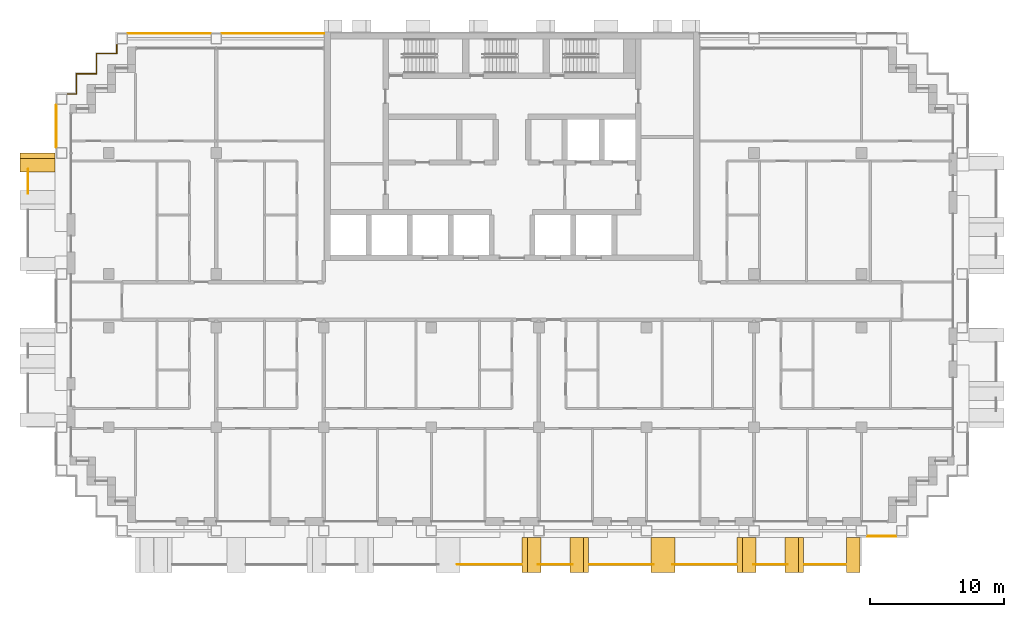
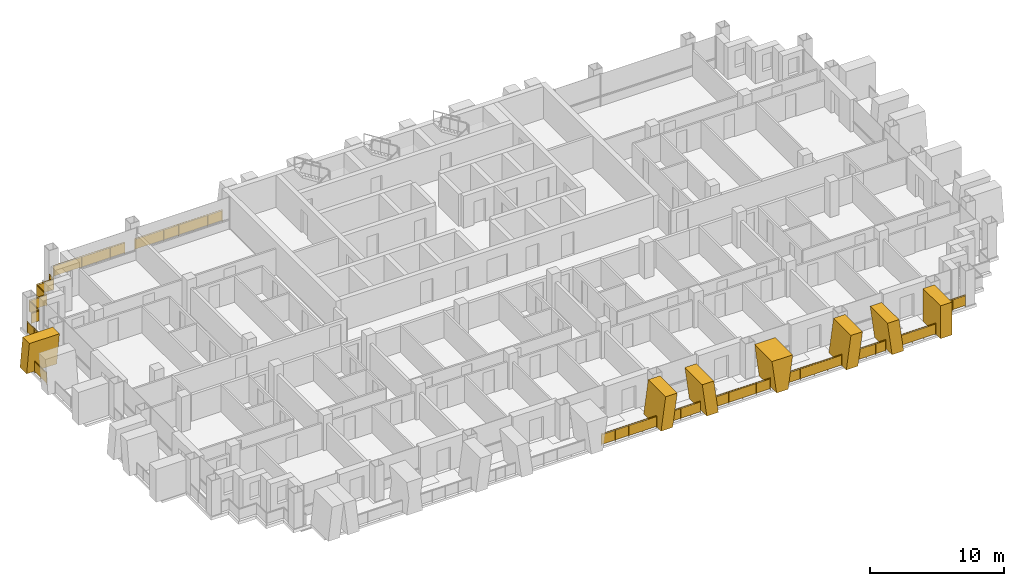
# One storey, part 15 of 17: 12 railings, 7 shading devices.
"""IFC4 building model written with IfcOpenShell, lengths in metres."""

from ifc_helpers import new_model, si_unit, direction, frame, origin, origin_2d, place, context, subcontext, project, spatial, polyline, rectangle, circle, outline, extrude, material, layer, layer_set, type_object, element, save


model = new_model("IFC4")

# Units and contexts
model_context = context("Model", 3, precision=1e-05, world=origin(), true_north=direction((0.0, 1.0)))
body_context = subcontext(model_context, "Body", "Model", "MODEL_VIEW")
ifc_project = project(units=[si_unit("LENGTHUNIT", "METRE"), si_unit("AREAUNIT", "SQUARE_METRE"), si_unit("VOLUMEUNIT", "CUBIC_METRE"), si_unit("PLANEANGLEUNIT", "RADIAN"), si_unit("MASSUNIT", "GRAM", prefix="KILO")], contexts=[model_context])

# Site, building, storey
site_placement = place(None, origin())
site = spatial("IfcSite", under=ifc_project, at=site_placement, CompositionType="ELEMENT")
building_placement = place(site_placement, origin())
building = spatial("IfcBuilding", under=site, at=building_placement, Name="Vidyagriha Tower", CompositionType="ELEMENT")
storey_placement = place(building_placement, frame((0.0, 0.0, 119.800048828125)))
storey = spatial("IfcBuildingStorey", under=building, at=storey_placement, Name="L30", CompositionType="ELEMENT", Elevation=119.800048828125)

# Railings
ifc_material_1 = material(Name="Steel ASTM A500 Grade C black painted", Category="steel")
railing_type_1 = type_object("IfcRailingType", Name="Balcony guard 1100", PredefinedType="BALUSTRADE", material=ifc_material_1)
railing_1_placement = place(storey_placement, frame((-36.0, 9.796630859375, 0.0)))
element("IfcRailing", 1, at=railing_1_placement, inside=storey, type_object=railing_type_1, Name="Balcony guard L30 R16.1-1", PredefinedType="BALUSTRADE", context=body_context, shape_type="SweptSolid", body=[
    extrude(circle(Radius=0.02490234375, at=origin_2d()), frame((0.0, 0.0, 1.0751953125), z_axis=(0.0, -1.0, 0.0), x_axis=(1.0, 0.0, 0.0)), (0.0, 0.0, 1.0), 1.793212890625),
    extrude(circle(Radius=0.02001953125, at=origin_2d()), origin(), (0.0, 0.0, 1.0), 1.050048828125),
    extrude(circle(Radius=0.02001953125, at=origin_2d()), frame((0.0, -0.896484375, 0.0)), (0.0, 0.0, 1.0), 1.050048828125),
    extrude(circle(Radius=0.02001953125, at=origin_2d()), frame((0.0, -1.793212890625, 0.0)), (0.0, 0.0, 1.0), 1.050048828125),
    extrude(rectangle(XDim=0.010009765625, YDim=0.900146484375, at=origin_2d()), frame((0.0, 0.0, 0.550048828125), z_axis=(0.0, -1.0, 0.0), x_axis=(1.0, 0.0, 0.0)), (0.0, 0.0, 1.0), 1.793212890625),
])
railing_2_placement = place(storey_placement, frame((-4.073486328125, -19.60009765625, 0.0)))
element("IfcRailing", 2, at=railing_2_placement, inside=storey, type_object=railing_type_1, Name="Balcony guard L30 R23.1-5", PredefinedType="BALUSTRADE", context=body_context, shape_type="SweptSolid", body=[
    extrude(circle(Radius=0.02490234375, at=origin_2d()), frame((0.0, 0.0, 1.0751953125), z_axis=(1.0, 0.0, 0.0), x_axis=(0.0, 1.0, 0.0)), (0.0, 0.0, 1.0), 4.7734375),
    extrude(circle(Radius=0.02001953125, at=origin_2d()), origin(), (0.0, 0.0, 1.0), 1.050048828125),
    extrude(circle(Radius=0.02001953125, at=origin_2d()), frame((1.193359375, 0.0, 0.0)), (0.0, 0.0, 1.0), 1.050048828125),
    extrude(circle(Radius=0.02001953125, at=origin_2d()), frame((2.38671875, 0.0, 0.0)), (0.0, 0.0, 1.0), 1.050048828125),
    extrude(circle(Radius=0.02001953125, at=origin_2d()), frame((3.580078125, 0.0, 0.0)), (0.0, 0.0, 1.0), 1.050048828125),
    extrude(circle(Radius=0.02001953125, at=origin_2d()), frame((4.7734375, 0.0, 0.0)), (0.0, 0.0, 1.0), 1.050048828125),
    extrude(rectangle(XDim=0.010009765625, YDim=0.900146484375, at=origin_2d()), frame((0.0, 0.0, 0.550048828125), z_axis=(1.0, 0.0, 0.0), x_axis=(0.0, 1.0, 0.0)), (0.0, 0.0, 1.0), 4.7734375),
])
railing_3_placement = place(storey_placement, frame((1.951416015625, -19.60009765625, 0.0)))
element("IfcRailing", 3, at=railing_3_placement, inside=storey, type_object=railing_type_1, Name="Balcony guard L30 R23.1-6", PredefinedType="BALUSTRADE", context=body_context, shape_type="SweptSolid", body=[
    extrude(circle(Radius=0.02490234375, at=origin_2d()), frame((0.0, 0.0, 1.0751953125), z_axis=(1.0, 0.0, 0.0), x_axis=(0.0, 1.0, 0.0)), (0.0, 0.0, 1.0), 2.547119140625),
    extrude(circle(Radius=0.02001953125, at=origin_2d()), origin(), (0.0, 0.0, 1.0), 1.050048828125),
    extrude(circle(Radius=0.02001953125, at=origin_2d()), frame((0.84912109375, 0.0, 0.0)), (0.0, 0.0, 1.0), 1.050048828125),
    extrude(circle(Radius=0.02001953125, at=origin_2d()), frame((1.697998046875, 0.0, 0.0)), (0.0, 0.0, 1.0), 1.050048828125),
    extrude(circle(Radius=0.02001953125, at=origin_2d()), frame((2.547119140625, 0.0, 0.0)), (0.0, 0.0, 1.0), 1.050048828125),
    extrude(rectangle(XDim=0.010009765625, YDim=0.900146484375, at=origin_2d()), frame((0.0, 0.0, 0.550048828125), z_axis=(1.0, 0.0, 0.0), x_axis=(0.0, 1.0, 0.0)), (0.0, 0.0, 1.0), 2.547119140625),
])
railing_4_placement = place(storey_placement, frame((5.75, -19.60009765625, 0.0)))
element("IfcRailing", 4, at=railing_4_placement, inside=storey, type_object=railing_type_1, Name="Balcony guard L30 R23.1-7", PredefinedType="BALUSTRADE", context=body_context, shape_type="SweptSolid", body=[
    extrude(circle(Radius=0.02490234375, at=origin_2d()), frame((0.0, 0.0, 1.0751953125), z_axis=(1.0, 0.0, 0.0), x_axis=(0.0, 1.0, 0.0)), (0.0, 0.0, 1.0), 4.773681640625),
    extrude(circle(Radius=0.02001953125, at=origin_2d()), origin(), (0.0, 0.0, 1.0), 1.050048828125),
    extrude(circle(Radius=0.02001953125, at=origin_2d()), frame((1.193359375, 0.0, 0.0)), (0.0, 0.0, 1.0), 1.050048828125),
    extrude(circle(Radius=0.02001953125, at=origin_2d()), frame((2.38671875, 0.0, 0.0)), (0.0, 0.0, 1.0), 1.050048828125),
    extrude(circle(Radius=0.02001953125, at=origin_2d()), frame((3.580322265625, 0.0, 0.0)), (0.0, 0.0, 1.0), 1.050048828125),
    extrude(circle(Radius=0.02001953125, at=origin_2d()), frame((4.773681640625, 0.0, 0.0)), (0.0, 0.0, 1.0), 1.050048828125),
    extrude(rectangle(XDim=0.010009765625, YDim=0.900146484375, at=origin_2d()), frame((0.0, 0.0, 0.550048828125), z_axis=(1.0, 0.0, 0.0), x_axis=(0.0, 1.0, 0.0)), (0.0, 0.0, 1.0), 4.773681640625),
])
railing_5_placement = place(storey_placement, frame((11.926513671875, -19.60009765625, 0.0)))
element("IfcRailing", 5, at=railing_5_placement, inside=storey, type_object=railing_type_1, Name="Balcony guard L30 R23.1-8", PredefinedType="BALUSTRADE", context=body_context, shape_type="SweptSolid", body=[
    extrude(circle(Radius=0.02490234375, at=origin_2d()), frame((0.0, 0.0, 1.0751953125), z_axis=(1.0, 0.0, 0.0), x_axis=(0.0, 1.0, 0.0)), (0.0, 0.0, 1.0), 4.7734375),
    extrude(circle(Radius=0.02001953125, at=origin_2d()), origin(), (0.0, 0.0, 1.0), 1.050048828125),
    extrude(circle(Radius=0.02001953125, at=origin_2d()), frame((1.193359375, 0.0, 0.0)), (0.0, 0.0, 1.0), 1.050048828125),
    extrude(circle(Radius=0.02001953125, at=origin_2d()), frame((2.38671875, 0.0, 0.0)), (0.0, 0.0, 1.0), 1.050048828125),
    extrude(circle(Radius=0.02001953125, at=origin_2d()), frame((3.580078125, 0.0, 0.0)), (0.0, 0.0, 1.0), 1.050048828125),
    extrude(circle(Radius=0.02001953125, at=origin_2d()), frame((4.7734375, 0.0, 0.0)), (0.0, 0.0, 1.0), 1.050048828125),
    extrude(rectangle(XDim=0.010009765625, YDim=0.900146484375, at=origin_2d()), frame((0.0, 0.0, 0.550048828125), z_axis=(1.0, 0.0, 0.0), x_axis=(0.0, 1.0, 0.0)), (0.0, 0.0, 1.0), 4.7734375),
])
railing_6_placement = place(storey_placement, frame((17.951416015625, -19.60009765625, 0.0)))
element("IfcRailing", 6, at=railing_6_placement, inside=storey, type_object=railing_type_1, Name="Balcony guard L30 R23.1-9", PredefinedType="BALUSTRADE", context=body_context, shape_type="SweptSolid", body=[
    extrude(circle(Radius=0.02490234375, at=origin_2d()), frame((0.0, 0.0, 1.0751953125), z_axis=(1.0, 0.0, 0.0), x_axis=(0.0, 1.0, 0.0)), (0.0, 0.0, 1.0), 2.547119140625),
    extrude(circle(Radius=0.02001953125, at=origin_2d()), origin(), (0.0, 0.0, 1.0), 1.050048828125),
    extrude(circle(Radius=0.02001953125, at=origin_2d()), frame((0.84912109375, 0.0, 0.0)), (0.0, 0.0, 1.0), 1.050048828125),
    extrude(circle(Radius=0.02001953125, at=origin_2d()), frame((1.697998046875, 0.0, 0.0)), (0.0, 0.0, 1.0), 1.050048828125),
    extrude(circle(Radius=0.02001953125, at=origin_2d()), frame((2.547119140625, 0.0, 0.0)), (0.0, 0.0, 1.0), 1.050048828125),
    extrude(rectangle(XDim=0.010009765625, YDim=0.900146484375, at=origin_2d()), frame((0.0, 0.0, 0.550048828125), z_axis=(1.0, 0.0, 0.0), x_axis=(0.0, 1.0, 0.0)), (0.0, 0.0, 1.0), 2.547119140625),
])
railing_7_placement = place(storey_placement, frame((21.75, -19.60009765625, 0.0)))
element("IfcRailing", 7, at=railing_7_placement, inside=storey, type_object=railing_type_1, Name="Balcony guard L30 R23.1-10", PredefinedType="BALUSTRADE", context=body_context, shape_type="SweptSolid", body=[
    extrude(circle(Radius=0.02490234375, at=origin_2d()), frame((0.0, 0.0, 1.0751953125), z_axis=(1.0, 0.0, 0.0), x_axis=(0.0, 1.0, 0.0)), (0.0, 0.0, 1.0), 3.074951171875),
    extrude(circle(Radius=0.02001953125, at=origin_2d()), origin(), (0.0, 0.0, 1.0), 1.050048828125),
    extrude(circle(Radius=0.02001953125, at=origin_2d()), frame((1.02490234375, 0.0, 0.0)), (0.0, 0.0, 1.0), 1.050048828125),
    extrude(circle(Radius=0.02001953125, at=origin_2d()), frame((2.050048828125, 0.0, 0.0)), (0.0, 0.0, 1.0), 1.050048828125),
    extrude(circle(Radius=0.02001953125, at=origin_2d()), frame((3.074951171875, 0.0, 0.0)), (0.0, 0.0, 1.0), 1.050048828125),
    extrude(rectangle(XDim=0.010009765625, YDim=0.900146484375, at=origin_2d()), frame((0.0, 0.0, 0.550048828125), z_axis=(1.0, 0.0, 0.0), x_axis=(0.0, 1.0, 0.0)), (0.0, 0.0, 1.0), 3.074951171875),
])

# Shading devices
ifc_material_2 = material(Name="Precast concrete C40/50 with buff brick facing", Category="concrete")
ifc_layer_1 = layer(ifc_material_2, 1.0)
ifc_layer_set_1 = layer_set([ifc_layer_1], Name="Precast concrete C40/50 with buff brick facing")
shading_device_type_1 = type_object("IfcShadingDeviceType", Name="Brick-faced blade fin arm leaning 8 degrees", PredefinedType="USERDEFINED", material=ifc_layer_set_1)
shading_device_1_placement = place(storey_placement, frame((-35.300048828125, 11.0, 0.0), z_axis=(0.0, 0.0, 1.0), x_axis=(0.0, -1.0, 0.0)))
element("IfcShadingDevice", 8, at=shading_device_1_placement, inside=storey, type_object=shading_device_type_1, Name="Leaning blade fin L30 R16.300a", ObjectType="BLADE FIN", PredefinedType="USERDEFINED", context=body_context, shape_type="SweptSolid", body=[
    extrude(outline(polyline([(0.0, 0.0), (1.0, 0.0), (1.39990234375, 3.0), (0.39990234375, 3.0), (0.0, 0.0)])), frame((0.0, 1.300048828125, 0.0), z_axis=(0.0, -1.0, 0.0), x_axis=(1.0, 0.0, 0.0)), (0.0, 0.0, 1.0), 2.60009765625),
])
shading_device_2_placement = place(storey_placement, frame((0.75, -18.89990234375, 0.0)))
element("IfcShadingDevice", 9, at=shading_device_2_placement, inside=storey, type_object=shading_device_type_1, Name="Leaning blade fin L30 R23.3000a", ObjectType="BLADE FIN", PredefinedType="USERDEFINED", context=body_context, shape_type="SweptSolid", body=[
    extrude(outline(polyline([(0.0, 0.0), (1.0, 0.0), (1.39501953125, 3.0), (0.39501953125, 3.0), (0.0, 0.0)])), frame((0.0, 1.300048828125, 0.0), z_axis=(0.0, -1.0, 0.0), x_axis=(1.0, 0.0, 0.0)), (0.0, 0.0, 1.0), 2.60009765625),
])
shading_device_3_placement = place(storey_placement, frame((4.304931640625, -18.89990234375, 0.0)))
element("IfcShadingDevice", 10, at=shading_device_3_placement, inside=storey, type_object=shading_device_type_1, Name="Leaning blade fin L30 R23.3000b", ObjectType="BLADE FIN", PredefinedType="USERDEFINED", context=body_context, shape_type="SweptSolid", body=[
    extrude(outline(polyline([(0.39501953125, 0.0), (1.39501953125, 0.0), (1.0, 3.0), (0.0, 3.0), (0.39501953125, 0.0)])), frame((0.0, 1.300048828125, 0.0), z_axis=(0.0, -1.0, 0.0), x_axis=(1.0, 0.0, 0.0)), (0.0, 0.0, 1.0), 2.60009765625),
])
shading_device_4_placement = place(storey_placement, frame((16.75, -18.89990234375, 0.0)))
element("IfcShadingDevice", 11, at=shading_device_4_placement, inside=storey, type_object=shading_device_type_1, Name="Leaning blade fin L30 R23.4600a", ObjectType="BLADE FIN", PredefinedType="USERDEFINED", context=body_context, shape_type="SweptSolid", body=[
    extrude(outline(polyline([(0.0, 0.0), (1.0, 0.0), (1.39501953125, 3.0), (0.39501953125, 3.0), (0.0, 0.0)])), frame((0.0, 1.300048828125, 0.0), z_axis=(0.0, -1.0, 0.0), x_axis=(1.0, 0.0, 0.0)), (0.0, 0.0, 1.0), 2.60009765625),
])
shading_device_5_placement = place(storey_placement, frame((20.304931640625, -18.89990234375, 0.0)))
element("IfcShadingDevice", 12, at=shading_device_5_placement, inside=storey, type_object=shading_device_type_1, Name="Leaning blade fin L30 R23.4600b", ObjectType="BLADE FIN", PredefinedType="USERDEFINED", context=body_context, shape_type="SweptSolid", body=[
    extrude(outline(polyline([(0.39501953125, 0.0), (1.39501953125, 0.0), (1.0, 3.0), (0.0, 3.0), (0.39501953125, 0.0)])), frame((0.0, 1.300048828125, 0.0), z_axis=(0.0, -1.0, 0.0), x_axis=(1.0, 0.0, 0.0)), (0.0, 0.0, 1.0), 2.60009765625),
])
ifc_material_3 = material(Name="Precast concrete C40/50 with buff brick facing", Category="concrete")
ifc_layer_2 = layer(ifc_material_3, 1.0)
ifc_layer_set_2 = layer_set([ifc_layer_2], Name="Precast concrete C40/50 with buff brick facing")
shading_device_type_2 = type_object("IfcShadingDeviceType", Name="Brick-faced blade fin forking 8 degrees", PredefinedType="USERDEFINED", material=ifc_layer_set_2)
shading_device_6_placement = place(storey_placement, frame((10.330078125, -18.89990234375, 0.0)))
element("IfcShadingDevice", 13, at=shading_device_6_placement, inside=storey, type_object=shading_device_type_2, Name="Forked blade fin L30 R23.3800a", ObjectType="BLADE FIN", PredefinedType="USERDEFINED", context=body_context, shape_type="SweptSolid", body=[
    extrude(outline(polyline([(0.39501953125, 0.0), (1.39501953125, 0.0), (1.7900390625, 3.0), (0.0, 3.0), (0.39501953125, 0.0)])), frame((0.0, 1.300048828125, 0.0), z_axis=(0.0, -1.0, 0.0), x_axis=(1.0, 0.0, 0.0)), (0.0, 0.0, 1.0), 2.60009765625),
])
ifc_material_4 = material(Name="Precast concrete C40/50 with buff brick facing", Category="concrete")
ifc_layer_3 = layer(ifc_material_4, 1.0)
ifc_layer_set_3 = layer_set([ifc_layer_3], Name="Precast concrete C40/50 with buff brick facing")
shading_device_type_3 = type_object("IfcShadingDeviceType", Name="Brick-faced blade fin stem 1000", PredefinedType="USERDEFINED", material=ifc_layer_set_3)
shading_device_7_placement = place(storey_placement, frame((24.875, -18.89990234375, 0.0)))
element("IfcShadingDevice", 14, at=shading_device_7_placement, inside=storey, type_object=shading_device_type_3, Name="Stem blade fin L30 R23.5400a", ObjectType="BLADE FIN", PredefinedType="USERDEFINED", context=body_context, shape_type="SweptSolid", body=[
    extrude(outline(polyline([(0.0, 0.0), (1.0, 0.0), (1.0, 3.0), (0.0, 3.0), (0.0, 0.0)])), frame((0.0, 1.300048828125, 0.0), z_axis=(0.0, -1.0, 0.0), x_axis=(1.0, 0.0, 0.0)), (0.0, 0.0, 1.0), 2.60009765625),
])

# Railings
ifc_material_5 = material(Name="Steel ASTM A500 Grade C black painted", Category="steel")
railing_type_2 = type_object("IfcRailingType", Name="Gallery guard 1100", PredefinedType="GUARDRAIL", material=ifc_material_5)
railing_8_placement = place(storey_placement, frame((-33.89990234375, 11.429931640625, 0.0)))
element("IfcRailing", 15, at=railing_8_placement, inside=storey, type_object=railing_type_2, Name="Gallery guard L30 3", PredefinedType="GUARDRAIL", context=body_context, shape_type="SweptSolid", body=[
    extrude(circle(Radius=0.02490234375, at=origin_2d()), frame((0.0, 0.0, 1.0751953125), z_axis=(0.0, 1.0, 0.0), x_axis=(-1.0, 0.0, 0.0)), (0.0, 0.0, 1.0), 3.14013671875),
    extrude(circle(Radius=0.02001953125, at=origin_2d()), origin(), (0.0, 0.0, 1.0), 1.050048828125),
    extrude(circle(Radius=0.02001953125, at=origin_2d()), frame((0.0, 1.046630859375, 0.0)), (0.0, 0.0, 1.0), 1.050048828125),
    extrude(circle(Radius=0.02001953125, at=origin_2d()), frame((0.0, 2.093505859375, 0.0)), (0.0, 0.0, 1.0), 1.050048828125),
    extrude(circle(Radius=0.02001953125, at=origin_2d()), frame((0.0, 3.14013671875, 0.0)), (0.0, 0.0, 1.0), 1.050048828125),
    extrude(rectangle(XDim=0.010009765625, YDim=0.900146484375, at=origin_2d()), frame((0.0, 0.0, 0.550048828125), z_axis=(0.0, 1.0, 0.0), x_axis=(-1.0, 0.0, 0.0)), (0.0, 0.0, 1.0), 3.14013671875),
])
railing_9_placement = place(storey_placement, frame((-33.070068359375, 15.39990234375, 0.0)))
element("IfcRailing", 16, at=railing_9_placement, inside=storey, type_object=railing_type_2, Name="Gallery guard L30 5", PredefinedType="GUARDRAIL", context=body_context, shape_type="SweptSolid", body=[
    extrude(circle(Radius=0.02490234375, at=origin_2d()), frame((0.0, 0.0, 1.0751953125), z_axis=(1.0, 0.0, 0.0), x_axis=(0.0, 1.0, 0.0)), (0.0, 0.0, 1.0), 0.670166015625),
    extrude(circle(Radius=0.02490234375, at=origin_2d()), frame((0.670166015625, 0.0, 1.0751953125), z_axis=(0.0, 1.0, 0.0), x_axis=(-1.0, 0.0, 0.0)), (0.0, 0.0, 1.0), 1.5),
    extrude(circle(Radius=0.02490234375, at=origin_2d()), frame((0.670166015625, 1.5, 1.0751953125), z_axis=(1.0, 0.0, 0.0), x_axis=(0.0, 1.0, 0.0)), (0.0, 0.0, 1.0), 1.5),
    extrude(circle(Radius=0.02490234375, at=origin_2d()), frame((2.170166015625, 1.5, 1.0751953125), z_axis=(0.0, 1.0, 0.0), x_axis=(-1.0, 0.0, 0.0)), (0.0, 0.0, 1.0), 1.5),
    extrude(circle(Radius=0.02490234375, at=origin_2d()), frame((2.170166015625, 3.0, 1.0751953125), z_axis=(1.0, 0.0, 0.0), x_axis=(0.0, 1.0, 0.0)), (0.0, 0.0, 1.0), 1.5),
    extrude(circle(Radius=0.02490234375, at=origin_2d()), frame((3.670166015625, 3.0, 1.0751953125), z_axis=(0.0, 1.0, 0.0), x_axis=(-1.0, 0.0, 0.0)), (0.0, 0.0, 1.0), 0.670166015625),
    extrude(circle(Radius=0.02001953125, at=origin_2d()), origin(), (0.0, 0.0, 1.0), 1.050048828125),
    extrude(circle(Radius=0.02001953125, at=origin_2d()), frame((0.670166015625, 0.0, 0.0)), (0.0, 0.0, 1.0), 1.050048828125),
    extrude(circle(Radius=0.02001953125, at=origin_2d()), frame((0.670166015625, 1.5, 0.0)), (0.0, 0.0, 1.0), 1.050048828125),
    extrude(circle(Radius=0.02001953125, at=origin_2d()), frame((2.170166015625, 1.5, 0.0)), (0.0, 0.0, 1.0), 1.050048828125),
    extrude(circle(Radius=0.02001953125, at=origin_2d()), frame((2.170166015625, 3.0, 0.0)), (0.0, 0.0, 1.0), 1.050048828125),
    extrude(circle(Radius=0.02001953125, at=origin_2d()), frame((3.670166015625, 3.0, 0.0)), (0.0, 0.0, 1.0), 1.050048828125),
    extrude(circle(Radius=0.02001953125, at=origin_2d()), frame((3.670166015625, 3.670166015625, 0.0)), (0.0, 0.0, 1.0), 1.050048828125),
    extrude(rectangle(XDim=0.010009765625, YDim=0.900146484375, at=origin_2d()), frame((0.0, 0.0, 0.550048828125), z_axis=(1.0, 0.0, 0.0), x_axis=(0.0, 1.0, 0.0)), (0.0, 0.0, 1.0), 0.670166015625),
    extrude(rectangle(XDim=0.010009765625, YDim=0.900146484375, at=origin_2d()), frame((0.670166015625, 0.0, 0.550048828125), z_axis=(0.0, 1.0, 0.0), x_axis=(-1.0, 0.0, 0.0)), (0.0, 0.0, 1.0), 1.5),
    extrude(rectangle(XDim=0.010009765625, YDim=0.900146484375, at=origin_2d()), frame((0.670166015625, 1.5, 0.550048828125), z_axis=(1.0, 0.0, 0.0), x_axis=(0.0, 1.0, 0.0)), (0.0, 0.0, 1.0), 1.5),
    extrude(rectangle(XDim=0.010009765625, YDim=0.900146484375, at=origin_2d()), frame((2.170166015625, 1.5, 0.550048828125), z_axis=(0.0, 1.0, 0.0), x_axis=(-1.0, 0.0, 0.0)), (0.0, 0.0, 1.0), 1.5),
    extrude(rectangle(XDim=0.010009765625, YDim=0.900146484375, at=origin_2d()), frame((2.170166015625, 3.0, 0.550048828125), z_axis=(1.0, 0.0, 0.0), x_axis=(0.0, 1.0, 0.0)), (0.0, 0.0, 1.0), 1.5),
    extrude(rectangle(XDim=0.010009765625, YDim=0.900146484375, at=origin_2d()), frame((3.670166015625, 3.0, 0.550048828125), z_axis=(0.0, 1.0, 0.0), x_axis=(-1.0, 0.0, 0.0)), (0.0, 0.0, 1.0), 0.670166015625),
])
railing_10_placement = place(storey_placement, frame((-28.570068359375, 19.89990234375, 0.0)))
element("IfcRailing", 17, at=railing_10_placement, inside=storey, type_object=railing_type_2, Name="Gallery guard L30 7", PredefinedType="GUARDRAIL", context=body_context, shape_type="SweptSolid", body=[
    extrude(circle(Radius=0.02490234375, at=origin_2d()), frame((0.0, 0.0, 1.0751953125), z_axis=(1.0, 0.0, 0.0), x_axis=(0.0, 1.0, 0.0)), (0.0, 0.0, 1.0), 6.14013671875),
    extrude(circle(Radius=0.02001953125, at=origin_2d()), origin(), (0.0, 0.0, 1.0), 1.050048828125),
    extrude(circle(Radius=0.02001953125, at=origin_2d()), frame((1.22802734375, 0.0, 0.0)), (0.0, 0.0, 1.0), 1.050048828125),
    extrude(circle(Radius=0.02001953125, at=origin_2d()), frame((2.4560546875, 0.0, 0.0)), (0.0, 0.0, 1.0), 1.050048828125),
    extrude(circle(Radius=0.02001953125, at=origin_2d()), frame((3.68408203125, 0.0, 0.0)), (0.0, 0.0, 1.0), 1.050048828125),
    extrude(circle(Radius=0.02001953125, at=origin_2d()), frame((4.912109375, 0.0, 0.0)), (0.0, 0.0, 1.0), 1.050048828125),
    extrude(circle(Radius=0.02001953125, at=origin_2d()), frame((6.14013671875, 0.0, 0.0)), (0.0, 0.0, 1.0), 1.050048828125),
    extrude(rectangle(XDim=0.010009765625, YDim=0.900146484375, at=origin_2d()), frame((0.0, 0.0, 0.550048828125), z_axis=(1.0, 0.0, 0.0), x_axis=(0.0, 1.0, 0.0)), (0.0, 0.0, 1.0), 6.14013671875),
])
railing_11_placement = place(storey_placement, frame((-21.570068359375, 19.89990234375, 0.0)))
element("IfcRailing", 18, at=railing_11_placement, inside=storey, type_object=railing_type_2, Name="Gallery guard L30 8", PredefinedType="GUARDRAIL", context=body_context, shape_type="SweptSolid", body=[
    extrude(circle(Radius=0.02490234375, at=origin_2d()), frame((0.0, 0.0, 1.0751953125), z_axis=(1.0, 0.0, 0.0), x_axis=(0.0, 1.0, 0.0)), (0.0, 0.0, 1.0), 7.590087890625),
    extrude(circle(Radius=0.02001953125, at=origin_2d()), origin(), (0.0, 0.0, 1.0), 1.050048828125),
    extrude(circle(Radius=0.02001953125, at=origin_2d()), frame((1.26513671875, 0.0, 0.0)), (0.0, 0.0, 1.0), 1.050048828125),
    extrude(circle(Radius=0.02001953125, at=origin_2d()), frame((2.530029296875, 0.0, 0.0)), (0.0, 0.0, 1.0), 1.050048828125),
    extrude(circle(Radius=0.02001953125, at=origin_2d()), frame((3.794921875, 0.0, 0.0)), (0.0, 0.0, 1.0), 1.050048828125),
    extrude(circle(Radius=0.02001953125, at=origin_2d()), frame((5.06005859375, 0.0, 0.0)), (0.0, 0.0, 1.0), 1.050048828125),
    extrude(circle(Radius=0.02001953125, at=origin_2d()), frame((6.3251953125, 0.0, 0.0)), (0.0, 0.0, 1.0), 1.050048828125),
    extrude(circle(Radius=0.02001953125, at=origin_2d()), frame((7.590087890625, 0.0, 0.0)), (0.0, 0.0, 1.0), 1.050048828125),
    extrude(rectangle(XDim=0.010009765625, YDim=0.900146484375, at=origin_2d()), frame((0.0, 0.0, 0.550048828125), z_axis=(1.0, 0.0, 0.0), x_axis=(0.0, 1.0, 0.0)), (0.0, 0.0, 1.0), 7.590087890625),
])
railing_12_placement = place(storey_placement, frame((28.570068359375, -17.5, 0.0)))
element("IfcRailing", 19, at=railing_12_placement, inside=storey, type_object=railing_type_2, Name="Gallery guard L30 11", PredefinedType="GUARDRAIL", context=body_context, shape_type="SweptSolid", body=[
    extrude(circle(Radius=0.02490234375, at=origin_2d()), frame((0.0, 0.0, 1.0751953125), z_axis=(-1.0, 0.0, 0.0), x_axis=(0.0, -1.0, 0.0)), (0.0, 0.0, 1.0), 2.14013671875),
    extrude(circle(Radius=0.02001953125, at=origin_2d()), origin(), (0.0, 0.0, 1.0), 1.050048828125),
    extrude(circle(Radius=0.02001953125, at=origin_2d()), frame((-1.070068359375, 0.0, 0.0)), (0.0, 0.0, 1.0), 1.050048828125),
    extrude(circle(Radius=0.02001953125, at=origin_2d()), frame((-2.14013671875, 0.0, 0.0)), (0.0, 0.0, 1.0), 1.050048828125),
    extrude(rectangle(XDim=0.010009765625, YDim=0.900146484375, at=origin_2d()), frame((0.0, 0.0, 0.550048828125), z_axis=(-1.0, 0.0, 0.0), x_axis=(0.0, -1.0, 0.0)), (0.0, 0.0, 1.0), 2.14013671875),
])

save(model, "model.ifc")
